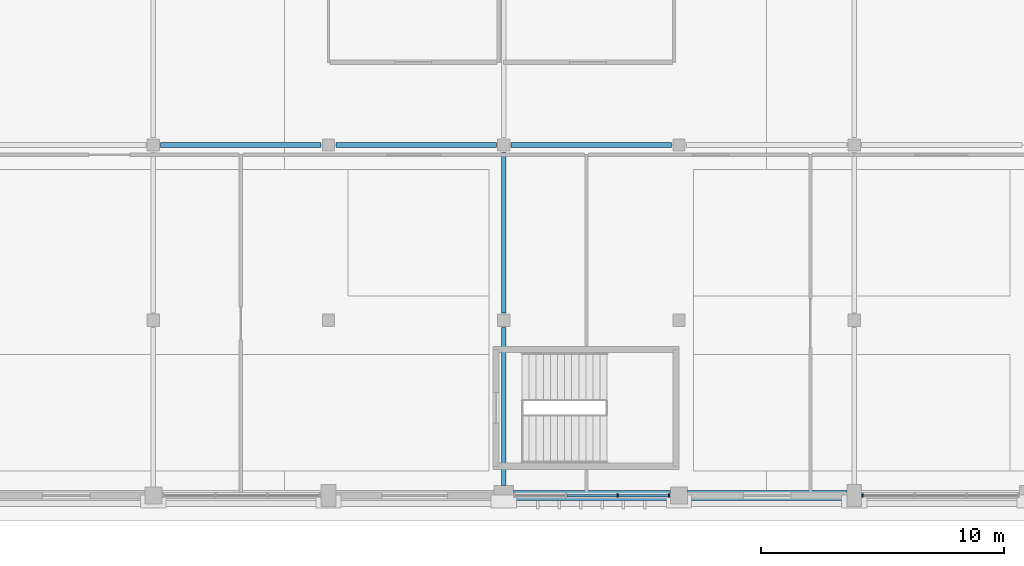
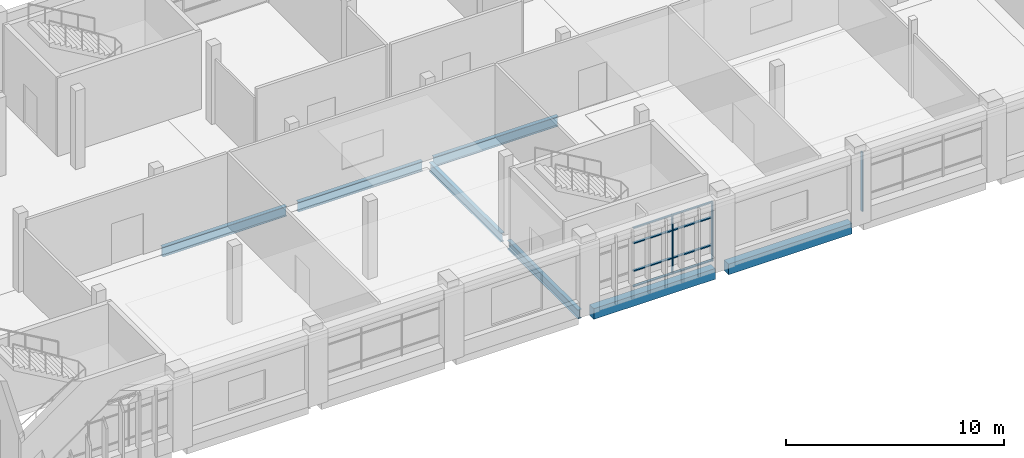
# One storey, part 12 of 71: 11 members, 7 beams, 2 elements without a shape of their own.
"""IFC4 building model written with IfcOpenShell, lengths in metres."""

from ifc_helpers import new_model, si_unit, direction, frame, origin, origin_2d, place, context, subcontext, project, spatial, rectangle, i_section, extrude, material, material_profile, profile_set, type_object, element, aggregate, save


model = new_model("IFC4")

# Units and contexts
model_context = context("Model", 3, precision=1e-05, world=origin(), true_north=direction((0.0, 1.0)))
body_context = subcontext(model_context, "Body", "Model", "MODEL_VIEW")
ifc_project = project(units=[si_unit("LENGTHUNIT", "METRE"), si_unit("AREAUNIT", "SQUARE_METRE"), si_unit("VOLUMEUNIT", "CUBIC_METRE"), si_unit("PLANEANGLEUNIT", "RADIAN"), si_unit("MASSUNIT", "GRAM", prefix="KILO")], contexts=[model_context])

# Site, building, storey
site_placement = place(None, origin())
site = spatial("IfcSite", under=ifc_project, at=site_placement, CompositionType="ELEMENT")
building_placement = place(site_placement, origin())
building = spatial("IfcBuilding", under=site, at=building_placement, Name="Sardonyx Promenade Sports Hall", CompositionType="ELEMENT")
storey_placement = place(building_placement, frame((0.0, 0.0, 16.0)))
storey = spatial("IfcBuildingStorey", under=building, at=storey_placement, Name="L03", CompositionType="ELEMENT", Elevation=16.0)

# Beams
ifc_material_1 = material(Name="Steel S355JR", Category="steel")
ifc_material_profile_1 = material_profile(ifc_material_1, i_section(OverallWidth=0.199951171875, OverallDepth=0.5, WebThickness=0.01025390625, FlangeThickness=0.01611328125, at=origin_2d()))
ifc_profile_set_1 = profile_set([ifc_material_profile_1], Name="Steel S355JR")
beam_type_1 = type_object("IfcBeamType", Name="Bm_Primary_IPE500", PredefinedType="BEAM", material=ifc_profile_set_1)
beam_1_placement = place(storey_placement, frame((43.199951171875, 0.39990234375, -0.52001953125), z_axis=(0.0, 1.0, 0.0), x_axis=(-1.0, 0.0, 0.0)))
element("IfcBeam", 1, at=beam_1_placement, inside=storey, type_object=beam_type_1, Name="Beam SB06 L03 #833", PredefinedType="BEAM", context=body_context, shape_type="SweptSolid", body=[
    extrude(i_section(OverallWidth=0.199951171875, OverallDepth=0.5, WebThickness=0.01025390625, FlangeThickness=0.01611328125, at=origin_2d()), origin(), (0.0, 0.0, 1.0), 6.5),
])
beam_2_placement = place(storey_placement, frame((43.199951171875, 7.5, -0.52001953125), z_axis=(0.0, 1.0, 0.0), x_axis=(-1.0, 0.0, 0.0)))
element("IfcBeam", 2, at=beam_2_placement, inside=storey, type_object=beam_type_1, Name="Beam SB06 L03 #834", PredefinedType="BEAM", context=body_context, shape_type="SweptSolid", body=[
    extrude(i_section(OverallWidth=0.199951171875, OverallDepth=0.5, WebThickness=0.01025390625, FlangeThickness=0.01611328125, at=origin_2d()), origin(), (0.0, 0.0, 1.0), 6.60009765625),
])
ifc_material_2 = material(Name="Steel S355JR", Category="steel")
ifc_material_profile_2 = material_profile(ifc_material_2, i_section(OverallWidth=0.2099609375, OverallDepth=0.550048828125, WebThickness=0.010986328125, FlangeThickness=0.01708984375, at=origin_2d()))
ifc_profile_set_2 = profile_set([ifc_material_profile_2], Name="Steel S355JR")
beam_type_2 = type_object("IfcBeamType", Name="Bm_Primary_IPE550", PredefinedType="BEAM", material=ifc_profile_set_2)
for number, where, z_axis, x_axis, name in (
    (3, (29.10009765625, 14.39990234375, -0.544921875), (1.0, 0.0, 0.0), (0.0, 1.0, 0.0), "Beam SB03 L03 #733"),
    (4, (36.300048828125, 14.39990234375, -0.544921875), (1.0, 0.0, 0.0), (0.0, 1.0, 0.0), "Beam SB03 L03 #734"),
):
    element("IfcBeam", number, at=place(storey_placement, frame(where, z_axis=z_axis, x_axis=x_axis)), inside=storey, type_object=beam_type_2, Name=name, PredefinedType="BEAM", context=body_context, shape_type="SweptSolid", body=[
        extrude(i_section(OverallWidth=0.2099609375, OverallDepth=0.550048828125, WebThickness=0.010986328125, FlangeThickness=0.01708984375, at=origin_2d()), origin(), (0.0, 0.0, 1.0), 6.599853515625),
    ])
beam_3_placement = place(storey_placement, frame((43.5, 14.39990234375, -0.544921875), z_axis=(1.0, 0.0, 0.0), x_axis=(0.0, 1.0, 0.0)))
element("IfcBeam", 5, at=beam_3_placement, inside=storey, type_object=beam_type_2, Name="Beam SB03 L03 #735", PredefinedType="BEAM", context=body_context, shape_type="SweptSolid", body=[
    extrude(i_section(OverallWidth=0.2099609375, OverallDepth=0.550048828125, WebThickness=0.010986328125, FlangeThickness=0.01708984375, at=origin_2d()), origin(), (0.0, 0.0, 1.0), 6.60009765625),
])
ifc_material_3 = material(Name="Concrete C40/50", Category="concrete")
ifc_material_profile_3 = material_profile(ifc_material_3, rectangle(XDim=0.39990234375, YDim=0.60009765625, at=origin_2d()))
ifc_profile_set_3 = profile_set([ifc_material_profile_3], Name="Concrete C40/50")
beam_type_3 = type_object("IfcBeamType", Name="Bm_Spandrel_RC600", PredefinedType="SPANDREL", material=ifc_profile_set_3)
beam_4_placement = place(storey_placement, frame((43.60009765625, 0.0, -0.300048828125), z_axis=(1.0, 0.0, 0.0), x_axis=(0.0, 1.0, 0.0)))
element("IfcBeam", 6, at=beam_4_placement, inside=storey, type_object=beam_type_3, Name="Beam SPB1 L03 #712", PredefinedType="SPANDREL", context=body_context, shape_type="SweptSolid", body=[
    extrude(rectangle(XDim=0.39990234375, YDim=0.60009765625, at=origin_2d()), origin(), (0.0, 0.0, 1.0), 6.449951171875),
])
beam_5_placement = place(storey_placement, frame((50.75, 0.0, -0.300048828125), z_axis=(1.0, 0.0, 0.0), x_axis=(0.0, 1.0, 0.0)))
element("IfcBeam", 7, at=beam_5_placement, inside=storey, type_object=beam_type_3, Name="Beam SPB1 L03 #713", PredefinedType="SPANDREL", context=body_context, shape_type="SweptSolid", body=[
    extrude(rectangle(XDim=0.39990234375, YDim=0.60009765625, at=origin_2d()), origin(), (0.0, 0.0, 1.0), 6.550048828125),
])

# Curtain wall, member
ifc_material_4 = material(Name="Aluminium 6063-T6", Category="aluminium")
curtain_wall_type = type_object("IfcCurtainWallType", Name="CW_South_L03_640", PredefinedType="USERDEFINED", material=ifc_material_4)
curtain_wall_1_placement = place(storey_placement, origin())
curtain_wall_1 = element("IfcCurtainWall", 8, at=curtain_wall_1_placement, inside=storey, type_object=curtain_wall_type, Name="Curtain wall CW14 cw:L03:044", ObjectType="CURTAIN WALL", PredefinedType="USERDEFINED")
ifc_material_5 = material(Name="Aluminium 6063-T6", Category="aluminium")
ifc_material_profile_4 = material_profile(ifc_material_5, rectangle(XDim=0.06005859375, YDim=0.14990234375, at=origin_2d()))
ifc_profile_set_4 = profile_set([ifc_material_profile_4], Name="Aluminium 6063-T6")
member_type_1 = type_object("IfcMemberType", Name="CW_Mull_150", PredefinedType="MULLION", material=ifc_profile_set_4)
member_1_placement = place(storey_placement, frame((57.949951171875, 0.0, 0.35009765625), z_axis=(0.0, 0.0, 1.0), x_axis=(-1.0, 0.0, 0.0)))
member_1 = element("IfcMember", 9, at=member_1_placement, type_object=member_type_1, Name="Mullion CM01 cw:L03:044 #4", PredefinedType="MULLION", context=body_context, shape_type="SweptSolid", body=[
    extrude(rectangle(XDim=0.06005859375, YDim=0.14990234375, at=origin_2d()), origin(), (0.0, 0.0, 1.0), 3.324951171875),
])
aggregate(curtain_wall_1, [member_1])

# Curtain wall, members
curtain_wall_2_placement = place(storey_placement, origin())
curtain_wall_2 = element("IfcCurtainWall", 10, at=curtain_wall_2_placement, inside=storey, type_object=curtain_wall_type, Name="Curtain wall CW14 cw:L03:045", ObjectType="CURTAIN WALL", PredefinedType="USERDEFINED")
member_2_placement = place(storey_placement, frame((50.0, 0.0, 0.35009765625), z_axis=(0.0, 0.0, 1.0), x_axis=(-1.0, 0.0, 0.0)))
member_2 = element("IfcMember", 11, at=member_2_placement, type_object=member_type_1, Name="Mullion CM01 cw:L03:045 #1", PredefinedType="MULLION", context=body_context, shape_type="SweptSolid", body=[
    extrude(rectangle(XDim=0.06005859375, YDim=0.14990234375, at=origin_2d()), origin(), (0.0, 0.0, 1.0), 3.324951171875),
])
member_3_placement = place(storey_placement, frame((47.88330078125, 0.0, 0.35009765625), z_axis=(0.0, 0.0, 1.0), x_axis=(-1.0, 0.0, 0.0)))
member_3 = element("IfcMember", 12, at=member_3_placement, type_object=member_type_1, Name="Mullion CM01 cw:L03:045 #2", PredefinedType="MULLION", context=body_context, shape_type="SweptSolid", body=[
    extrude(rectangle(XDim=0.06005859375, YDim=0.14990234375, at=origin_2d()), origin(), (0.0, 0.0, 1.0), 3.324951171875),
])
ifc_material_6 = material(Name="Aluminium 6063-T6", Category="aluminium")
ifc_material_profile_5 = material_profile(ifc_material_6, rectangle(XDim=0.06005859375, YDim=0.1201171875, at=origin_2d()))
ifc_profile_set_5 = profile_set([ifc_material_profile_5], Name="Aluminium 6063-T6")
member_type_2 = type_object("IfcMemberType", Name="CW_Tran_120", PredefinedType="USERDEFINED", material=ifc_profile_set_5)
member_4_placement = place(storey_placement, frame((49.969970703125, 0.0, 0.3798828125), z_axis=(-1.0, 0.0, 0.0), x_axis=(0.0, 0.0, 1.0)))
member_4 = element("IfcMember", 13, at=member_4_placement, type_object=member_type_2, Name="Transom CT01 cw:L03:045 #1", ObjectType="TRANSOM", PredefinedType="USERDEFINED", context=body_context, shape_type="SweptSolid", body=[
    extrude(rectangle(XDim=0.06005859375, YDim=0.1201171875, at=origin_2d()), origin(), (0.0, 0.0, 1.0), 2.056640625),
])
member_5_placement = place(storey_placement, frame((49.969970703125, 0.0, 1.25), z_axis=(-1.0, 0.0, 0.0), x_axis=(0.0, 0.0, 1.0)))
member_5 = element("IfcMember", 14, at=member_5_placement, type_object=member_type_2, Name="Transom CT01 cw:L03:045 #2", ObjectType="TRANSOM", PredefinedType="USERDEFINED", context=body_context, shape_type="SweptSolid", body=[
    extrude(rectangle(XDim=0.06005859375, YDim=0.1201171875, at=origin_2d()), origin(), (0.0, 0.0, 1.0), 2.056640625),
])
member_6_placement = place(storey_placement, frame((49.969970703125, 0.0, 2.800048828125), z_axis=(-1.0, 0.0, 0.0), x_axis=(0.0, 0.0, 1.0)))
member_6 = element("IfcMember", 15, at=member_6_placement, type_object=member_type_2, Name="Transom CT01 cw:L03:045 #3", ObjectType="TRANSOM", PredefinedType="USERDEFINED", context=body_context, shape_type="SweptSolid", body=[
    extrude(rectangle(XDim=0.06005859375, YDim=0.1201171875, at=origin_2d()), origin(), (0.0, 0.0, 1.0), 2.056640625),
])
member_7_placement = place(storey_placement, frame((49.969970703125, 0.0, 3.64501953125), z_axis=(-1.0, 0.0, 0.0), x_axis=(0.0, 0.0, 1.0)))
member_7 = element("IfcMember", 16, at=member_7_placement, type_object=member_type_2, Name="Transom CT01 cw:L03:045 #4", ObjectType="TRANSOM", PredefinedType="USERDEFINED", context=body_context, shape_type="SweptSolid", body=[
    extrude(rectangle(XDim=0.06005859375, YDim=0.1201171875, at=origin_2d()), origin(), (0.0, 0.0, 1.0), 2.056640625),
])
member_8_placement = place(storey_placement, frame((47.853271484375, 0.0, 0.3798828125), z_axis=(-1.0, 0.0, 0.0), x_axis=(0.0, 0.0, 1.0)))
member_8 = element("IfcMember", 17, at=member_8_placement, type_object=member_type_2, Name="Transom CT01 cw:L03:045 #5", ObjectType="TRANSOM", PredefinedType="USERDEFINED", context=body_context, shape_type="SweptSolid", body=[
    extrude(rectangle(XDim=0.06005859375, YDim=0.1201171875, at=origin_2d()), origin(), (0.0, 0.0, 1.0), 2.056640625),
])
member_9_placement = place(storey_placement, frame((47.853271484375, 0.0, 1.25), z_axis=(-1.0, 0.0, 0.0), x_axis=(0.0, 0.0, 1.0)))
member_9 = element("IfcMember", 18, at=member_9_placement, type_object=member_type_2, Name="Transom CT01 cw:L03:045 #6", ObjectType="TRANSOM", PredefinedType="USERDEFINED", context=body_context, shape_type="SweptSolid", body=[
    extrude(rectangle(XDim=0.06005859375, YDim=0.1201171875, at=origin_2d()), origin(), (0.0, 0.0, 1.0), 2.056640625),
])
member_10_placement = place(storey_placement, frame((47.853271484375, 0.0, 2.800048828125), z_axis=(-1.0, 0.0, 0.0), x_axis=(0.0, 0.0, 1.0)))
member_10 = element("IfcMember", 19, at=member_10_placement, type_object=member_type_2, Name="Transom CT01 cw:L03:045 #7", ObjectType="TRANSOM", PredefinedType="USERDEFINED", context=body_context, shape_type="SweptSolid", body=[
    extrude(rectangle(XDim=0.06005859375, YDim=0.1201171875, at=origin_2d()), origin(), (0.0, 0.0, 1.0), 2.056640625),
])
member_11_placement = place(storey_placement, frame((47.853271484375, 0.0, 3.64501953125), z_axis=(-1.0, 0.0, 0.0), x_axis=(0.0, 0.0, 1.0)))
member_11 = element("IfcMember", 20, at=member_11_placement, type_object=member_type_2, Name="Transom CT01 cw:L03:045 #8", ObjectType="TRANSOM", PredefinedType="USERDEFINED", context=body_context, shape_type="SweptSolid", body=[
    extrude(rectangle(XDim=0.06005859375, YDim=0.1201171875, at=origin_2d()), origin(), (0.0, 0.0, 1.0), 2.056640625),
])
aggregate(curtain_wall_2, [member_2, member_3, member_4, member_5, member_6, member_7, member_8, member_9, member_10, member_11])

save(model, "model.ifc")
